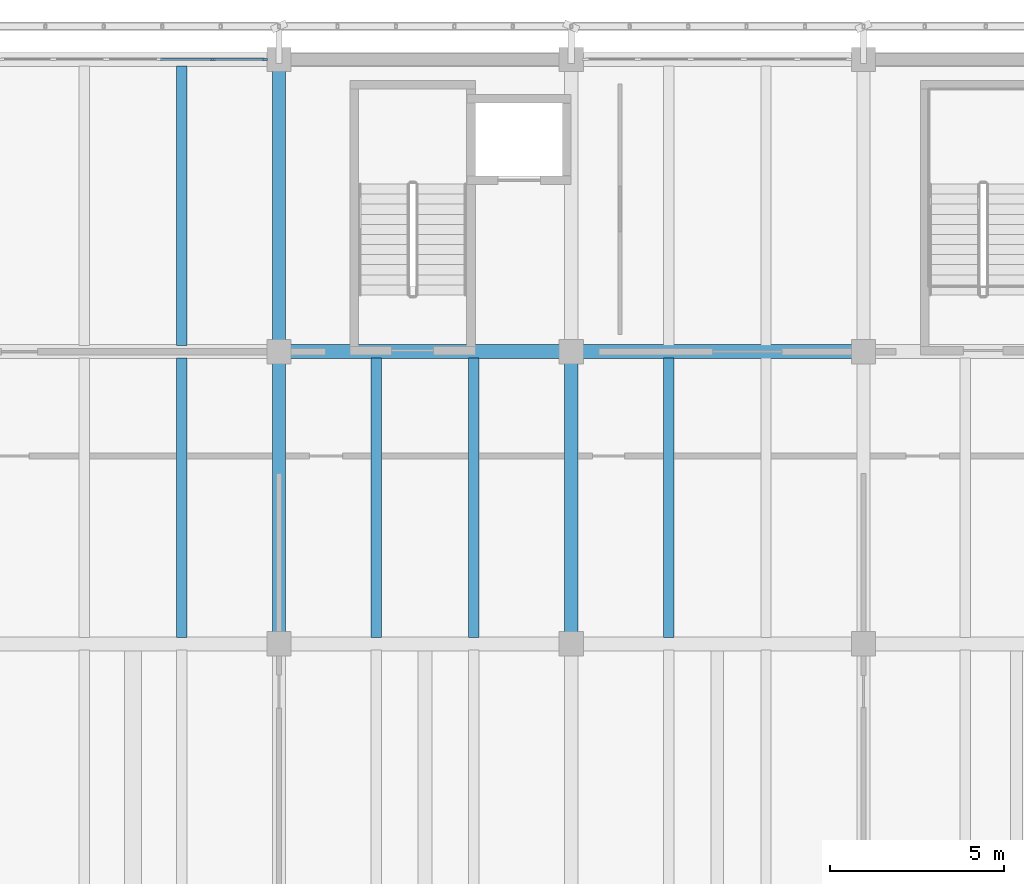
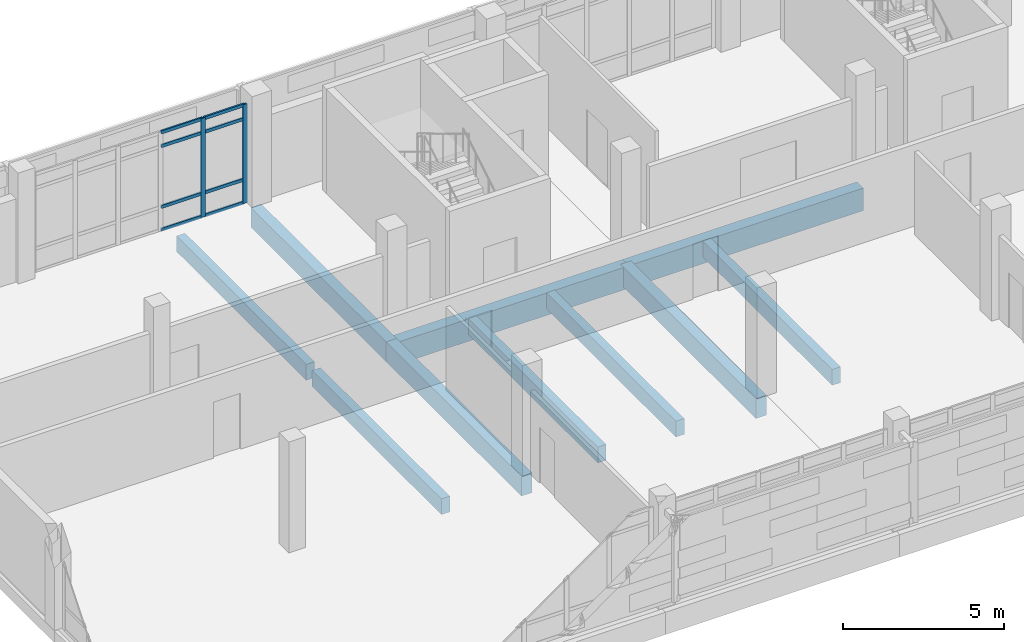
# One storey, part 51 of 137: 10 beams, 10 members, 1 element without a shape of its own.
"""IFC4 building model written with IfcOpenShell, lengths in metres."""

from ifc_helpers import new_model, si_unit, direction, frame, origin, origin_2d, place, context, subcontext, project, spatial, rectangle, extrude, material, material_profile, profile_set, type_object, element, aggregate, save


model = new_model("IFC4")

# Units and contexts
model_context = context("Model", 3, precision=1e-05, world=origin(), true_north=direction((0.0, 1.0)))
body_context = subcontext(model_context, "Body", "Model", "MODEL_VIEW")
ifc_project = project(units=[si_unit("LENGTHUNIT", "METRE"), si_unit("AREAUNIT", "SQUARE_METRE"), si_unit("VOLUMEUNIT", "CUBIC_METRE"), si_unit("PLANEANGLEUNIT", "RADIAN"), si_unit("MASSUNIT", "GRAM", prefix="KILO")], contexts=[model_context])

# Site, building, storey
site_placement = place(None, origin())
site = spatial("IfcSite", under=ifc_project, at=site_placement, CompositionType="ELEMENT")
building_placement = place(site_placement, origin())
building = spatial("IfcBuilding", under=site, at=building_placement, Name="Cinderway Yard Community Centre", CompositionType="ELEMENT")
storey_placement = place(building_placement, frame((0.0, 0.0, 4.800048828125)))
storey = spatial("IfcBuildingStorey", under=building, at=storey_placement, Name="L01", CompositionType="ELEMENT", Elevation=4.800048828125)

# Curtain wall, members
ifc_material_1 = material(Name="Aluminium 6063-T6", Category="aluminium")
curtain_wall_type = type_object("IfcCurtainWallType", Name="ENV-CW-TYPE-26", PredefinedType="USERDEFINED", material=ifc_material_1)
curtain_wall_placement = place(storey_placement, origin())
curtain_wall = element("IfcCurtainWall", 1, at=curtain_wall_placement, inside=storey, type_object=curtain_wall_type, Name="V4 Street Curtain Wall ENV-CW-L01-ST-0123", ObjectType="GLAZED CURTAIN WALL", PredefinedType="USERDEFINED")
ifc_material_profile_1 = material_profile(ifc_material_1, rectangle(XDim=0.06005859375, YDim=0.159912109375, at=origin_2d()), Name="Aluminium 6063-T6")
ifc_profile_set_1 = profile_set([ifc_material_profile_1], Name="Aluminium 6063-T6")
member_type_1 = type_object("IfcMemberType", Name="ENV-CW-MULL-150", PredefinedType="MULLION", material=ifc_profile_set_1)
member_1_placement = place(storey_placement, frame((56.491943359375, 115.199951171875, 0.0), z_axis=(0.0, 0.0, 1.0), x_axis=(0.0, 1.0, 0.0)))
member_1 = element("IfcMember", 2, at=member_1_placement, type_object=member_type_1, Name="CW-26 mullion 5", PredefinedType="MULLION", context=body_context, shape_type="SweptSolid", body=[
    extrude(rectangle(XDim=0.06005859375, YDim=0.159912109375, at=origin_2d()), origin(), (0.0, 0.0, 1.0), 3.75),
])
member_2_placement = place(storey_placement, frame((57.989990234375, 115.199951171875, 0.0), z_axis=(0.0, 0.0, 1.0), x_axis=(0.0, 1.0, 0.0)))
member_2 = element("IfcMember", 3, at=member_2_placement, type_object=member_type_1, Name="CW-26 mullion 6", PredefinedType="MULLION", context=body_context, shape_type="SweptSolid", body=[
    extrude(rectangle(XDim=0.06005859375, YDim=0.159912109375, at=origin_2d()), origin(), (0.0, 0.0, 1.0), 3.75),
])
ifc_material_profile_2 = material_profile(ifc_material_1, rectangle(XDim=0.06005859375, YDim=0.1201171875, at=origin_2d()), Name="Aluminium 6063-T6")
ifc_profile_set_2 = profile_set([ifc_material_profile_2], Name="Aluminium 6063-T6")
member_type_2 = type_object("IfcMemberType", Name="ENV-CW-TRAN-110", PredefinedType="USERDEFINED", material=ifc_profile_set_2)
member_3_placement = place(storey_placement, frame((54.993896484375, 115.199951171875, 0.030029296875), z_axis=(1.0, 0.0, 0.0), x_axis=(0.0, 1.0, 0.0)))
member_3 = element("IfcMember", 4, at=member_3_placement, type_object=member_type_2, Name="CW-26 transom 4.1", ObjectType="TRANSOM", PredefinedType="USERDEFINED", context=body_context, shape_type="SweptSolid", body=[
    extrude(rectangle(XDim=0.06005859375, YDim=0.1201171875, at=origin_2d()), origin(), (0.0, 0.0, 1.0), 1.468017578125),
])
member_4_placement = place(storey_placement, frame((54.993896484375, 115.199951171875, 0.89990234375), z_axis=(1.0, 0.0, 0.0), x_axis=(0.0, 1.0, 0.0)))
member_4 = element("IfcMember", 5, at=member_4_placement, type_object=member_type_2, Name="CW-26 transom 4.2", ObjectType="TRANSOM", PredefinedType="USERDEFINED", context=body_context, shape_type="SweptSolid", body=[
    extrude(rectangle(XDim=0.06005859375, YDim=0.1201171875, at=origin_2d()), origin(), (0.0, 0.0, 1.0), 1.468017578125),
])
member_5_placement = place(storey_placement, frame((54.993896484375, 115.199951171875, 3.199951171875), z_axis=(1.0, 0.0, 0.0), x_axis=(0.0, 1.0, 0.0)))
member_5 = element("IfcMember", 6, at=member_5_placement, type_object=member_type_2, Name="CW-26 transom 4.3", ObjectType="TRANSOM", PredefinedType="USERDEFINED", context=body_context, shape_type="SweptSolid", body=[
    extrude(rectangle(XDim=0.06005859375, YDim=0.1201171875, at=origin_2d()), origin(), (0.0, 0.0, 1.0), 1.468017578125),
])
member_6_placement = place(storey_placement, frame((54.993896484375, 115.199951171875, 3.719970703125), z_axis=(1.0, 0.0, 0.0), x_axis=(0.0, 1.0, 0.0)))
member_6 = element("IfcMember", 7, at=member_6_placement, type_object=member_type_2, Name="CW-26 transom 4.4", ObjectType="TRANSOM", PredefinedType="USERDEFINED", context=body_context, shape_type="SweptSolid", body=[
    extrude(rectangle(XDim=0.06005859375, YDim=0.1201171875, at=origin_2d()), origin(), (0.0, 0.0, 1.0), 1.468017578125),
])
member_7_placement = place(storey_placement, frame((56.52197265625, 115.199951171875, 0.030029296875), z_axis=(1.0, 0.0, 0.0), x_axis=(0.0, 1.0, 0.0)))
member_7 = element("IfcMember", 8, at=member_7_placement, type_object=member_type_2, Name="CW-26 transom 5.1", ObjectType="TRANSOM", PredefinedType="USERDEFINED", context=body_context, shape_type="SweptSolid", body=[
    extrude(rectangle(XDim=0.06005859375, YDim=0.1201171875, at=origin_2d()), origin(), (0.0, 0.0, 1.0), 1.43798828125),
])
member_8_placement = place(storey_placement, frame((56.52197265625, 115.199951171875, 0.89990234375), z_axis=(1.0, 0.0, 0.0), x_axis=(0.0, 1.0, 0.0)))
member_8 = element("IfcMember", 9, at=member_8_placement, type_object=member_type_2, Name="CW-26 transom 5.2", ObjectType="TRANSOM", PredefinedType="USERDEFINED", context=body_context, shape_type="SweptSolid", body=[
    extrude(rectangle(XDim=0.06005859375, YDim=0.1201171875, at=origin_2d()), origin(), (0.0, 0.0, 1.0), 1.43798828125),
])
member_9_placement = place(storey_placement, frame((56.52197265625, 115.199951171875, 3.199951171875), z_axis=(1.0, 0.0, 0.0), x_axis=(0.0, 1.0, 0.0)))
member_9 = element("IfcMember", 10, at=member_9_placement, type_object=member_type_2, Name="CW-26 transom 5.3", ObjectType="TRANSOM", PredefinedType="USERDEFINED", context=body_context, shape_type="SweptSolid", body=[
    extrude(rectangle(XDim=0.06005859375, YDim=0.1201171875, at=origin_2d()), origin(), (0.0, 0.0, 1.0), 1.43798828125),
])
member_10_placement = place(storey_placement, frame((56.52197265625, 115.199951171875, 3.719970703125), z_axis=(1.0, 0.0, 0.0), x_axis=(0.0, 1.0, 0.0)))
member_10 = element("IfcMember", 11, at=member_10_placement, type_object=member_type_2, Name="CW-26 transom 5.4", ObjectType="TRANSOM", PredefinedType="USERDEFINED", context=body_context, shape_type="SweptSolid", body=[
    extrude(rectangle(XDim=0.06005859375, YDim=0.1201171875, at=origin_2d()), origin(), (0.0, 0.0, 1.0), 1.43798828125),
])
aggregate(curtain_wall, [member_1, member_2, member_3, member_4, member_5, member_6, member_7, member_8, member_9, member_10])

# Beams
ifc_material_2 = material(Name="Concrete C35/45", Category="concrete")
ifc_material_profile_3 = material_profile(ifc_material_2, rectangle(XDim=0.300048828125, YDim=0.60009765625, at=origin_2d()), Name="Concrete C35/45")
ifc_profile_set_3 = profile_set([ifc_material_profile_3], Name="Concrete C35/45")
beam_type_1 = type_object("IfcBeamType", Name="STR-BM-RC300X600", PredefinedType="JOIST", material=ifc_profile_set_3)
beam_1_placement = place(storey_placement, frame((55.60009765625, 98.58203125, -0.56005859375), z_axis=(0.0, 1.0, 0.0), x_axis=(-1.0, 0.0, 0.0)))
element("IfcBeam", 12, at=beam_1_placement, inside=storey, type_object=beam_type_1, Name="Secondary joist STR-BM-L01-BJ02-0268", PredefinedType="JOIST", context=body_context, shape_type="SweptSolid", body=[
    extrude(rectangle(XDim=0.300048828125, YDim=0.60009765625, at=origin_2d()), origin(), (0.0, 0.0, 1.0), 8.035888671875),
])
beam_2_placement = place(storey_placement, frame((55.60009765625, 106.98193359375, -0.56005859375), z_axis=(0.0, 1.0, 0.0), x_axis=(-1.0, 0.0, 0.0)))
element("IfcBeam", 13, at=beam_2_placement, inside=storey, type_object=beam_type_1, Name="Secondary joist STR-BM-L01-BJ02-0270", PredefinedType="JOIST", context=body_context, shape_type="SweptSolid", body=[
    extrude(rectangle(XDim=0.300048828125, YDim=0.60009765625, at=origin_2d()), origin(), (0.0, 0.0, 1.0), 8.0361328125),
])
for number, where, z_axis, x_axis, name in (
    (14, (61.199951171875, 98.58203125, -0.56005859375), (0.0, 1.0, 0.0), (-1.0, 0.0, 0.0), "Secondary joist STR-BM-L01-BJ02-0273"),
    (15, (64.0, 98.58203125, -0.56005859375), (0.0, 1.0, 0.0), (-1.0, 0.0, 0.0), "Secondary joist STR-BM-L01-BJ02-0274"),
    (16, (69.60009765625, 98.58203125, -0.56005859375), (0.0, 1.0, 0.0), (-1.0, 0.0, 0.0), "Secondary joist STR-BM-L01-BJ02-0277"),
):
    element("IfcBeam", number, at=place(storey_placement, frame(where, z_axis=z_axis, x_axis=x_axis)), inside=storey, type_object=beam_type_1, Name=name, PredefinedType="JOIST", context=body_context, shape_type="SweptSolid", body=[
        extrude(rectangle(XDim=0.300048828125, YDim=0.60009765625, at=origin_2d()), origin(), (0.0, 0.0, 1.0), 8.035888671875),
    ])
ifc_material_profile_4 = material_profile(ifc_material_2, rectangle(XDim=0.3798828125, YDim=0.75, at=origin_2d()), Name="Concrete C35/45")
ifc_profile_set_4 = profile_set([ifc_material_profile_4], Name="Concrete C35/45")
beam_type_2 = type_object("IfcBeamType", Name="STR-BM-RC380X750", PredefinedType="BEAM", material=ifc_profile_set_4)
beam_3_placement = place(storey_placement, frame((58.39990234375, 98.39990234375, -0.635009765625), z_axis=(0.0, 1.0, 0.0), x_axis=(-1.0, 0.0, 0.0)))
element("IfcBeam", 17, at=beam_3_placement, inside=storey, type_object=beam_type_2, Name="Transverse girder STR-BM-L01-BG06-0227", PredefinedType="BEAM", context=body_context, shape_type="SweptSolid", body=[
    extrude(rectangle(XDim=0.3798828125, YDim=0.75, at=origin_2d()), origin(), (0.0, 0.0, 1.0), 8.400146484375),
])
beam_4_placement = place(storey_placement, frame((58.39990234375, 106.800048828125, -0.635009765625), z_axis=(0.0, 1.0, 0.0), x_axis=(-1.0, 0.0, 0.0)))
element("IfcBeam", 18, at=beam_4_placement, inside=storey, type_object=beam_type_2, Name="Transverse girder STR-BM-L01-BG06-0228", PredefinedType="BEAM", context=body_context, shape_type="SweptSolid", body=[
    extrude(rectangle(XDim=0.3798828125, YDim=0.75, at=origin_2d()), origin(), (0.0, 0.0, 1.0), 8.39990234375),
])
beam_5_placement = place(storey_placement, frame((66.800048828125, 98.39990234375, -0.635009765625), z_axis=(0.0, 1.0, 0.0), x_axis=(-1.0, 0.0, 0.0)))
element("IfcBeam", 19, at=beam_5_placement, inside=storey, type_object=beam_type_2, Name="Transverse girder STR-BM-L01-BG06-0230", PredefinedType="BEAM", context=body_context, shape_type="SweptSolid", body=[
    extrude(rectangle(XDim=0.3798828125, YDim=0.75, at=origin_2d()), origin(), (0.0, 0.0, 1.0), 8.400146484375),
])
ifc_material_3 = material(Name="Concrete C40/50", Category="concrete")
ifc_material_profile_5 = material_profile(ifc_material_3, rectangle(XDim=0.39990234375, YDim=0.85009765625, at=origin_2d()), Name="Concrete C40/50")
ifc_profile_set_5 = profile_set([ifc_material_profile_5], Name="Concrete C40/50")
beam_type_3 = type_object("IfcBeamType", Name="STR-BM-RC400X850", PredefinedType="BEAM", material=ifc_profile_set_5)
beam_6_placement = place(storey_placement, frame((58.39990234375, 106.800048828125, -0.68505859375), z_axis=(1.0, 0.0, 0.0), x_axis=(0.0, 1.0, 0.0)))
element("IfcBeam", 20, at=beam_6_placement, inside=storey, type_object=beam_type_3, Name="Primary girder STR-BM-L01-BG04-0198", PredefinedType="BEAM", context=body_context, shape_type="SweptSolid", body=[
    extrude(rectangle(XDim=0.39990234375, YDim=0.85009765625, at=origin_2d()), origin(), (0.0, 0.0, 1.0), 8.400146484375),
])
beam_7_placement = place(storey_placement, frame((66.800048828125, 106.800048828125, -0.68505859375), z_axis=(1.0, 0.0, 0.0), x_axis=(0.0, 1.0, 0.0)))
element("IfcBeam", 21, at=beam_7_placement, inside=storey, type_object=beam_type_3, Name="Primary girder STR-BM-L01-BG04-0199", PredefinedType="BEAM", context=body_context, shape_type="SweptSolid", body=[
    extrude(rectangle(XDim=0.39990234375, YDim=0.85009765625, at=origin_2d()), origin(), (0.0, 0.0, 1.0), 8.39990234375),
])

save(model, "model.ifc")
